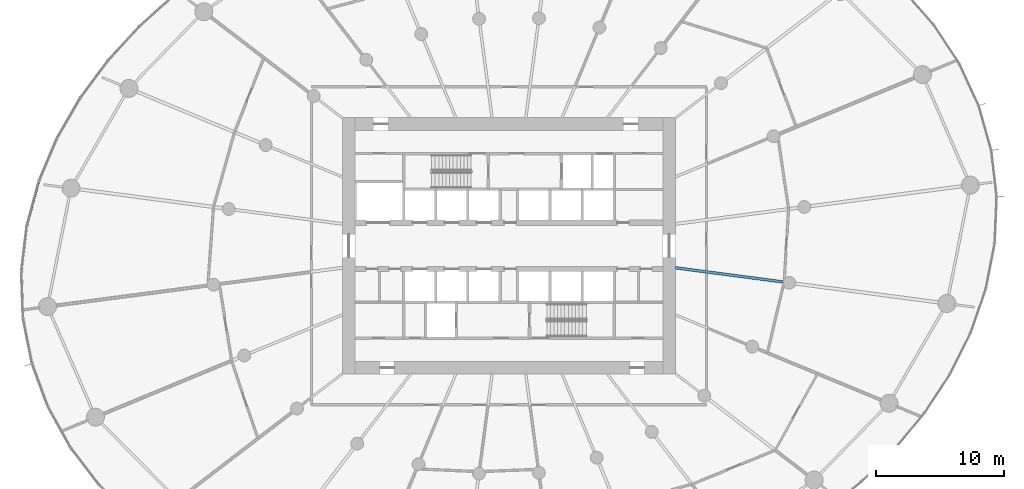
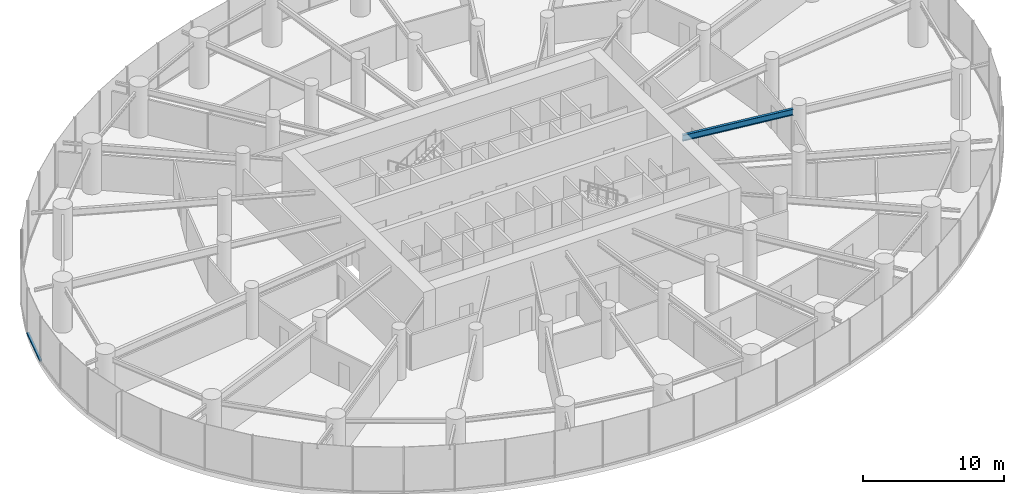
# One storey, part 5 of 19: 1 beam, 1 member, 1 element without a shape of its own.
"""IFC4 building model written with IfcOpenShell, lengths in metres."""

import ifcopenshell
import ifcopenshell.guid

model = None  # the IFC model being written
_history = None  # IfcOwnerHistory: only IFC2X3 demands one
_inside = {}  # id of a spatial element -> (the spatial element, [elements in it])
_under = {}  # id of a project, library or spatial element -> (it, [spatial elements below it])
_declared = {}  # id of a project -> (the project, [libraries it declares])
_typed = {}  # id of a type object -> (the type object, [elements of that type])
_made_of = {}  # id of a material, layer set ... -> (it, [elements and type objects made of it])


def new_model(schema):
    """Start an empty IFC model of exactly this schema.

    Asked for "IFC4X3", IfcOpenShell would pick the latest addendum, in which some entities
    have other attributes; the version numbers below select the first issue.
    IFC2X3 requires an IfcOwnerHistory on every rooted entity: one is made here for all.
    """
    global model, _history
    if schema == "IFC4X3":
        model = ifcopenshell.file(schema_version=(4, 3, 0, 0))
    else:
        model = ifcopenshell.file(schema=schema)
    _inside.clear()
    _under.clear()
    _declared.clear()
    _typed.clear()
    _made_of.clear()
    _history = None
    if model.schema == "IFC2X3":
        org = make("IfcOrganization", Name="unknown")
        user = make(
            "IfcPersonAndOrganization",
            ThePerson=make("IfcPerson", FamilyName="unknown"),
            TheOrganization=org,
        )
        app = make(
            "IfcApplication",
            ApplicationDeveloper=org,
            Version="unknown",
            ApplicationFullName="unknown",
            ApplicationIdentifier="unknown",
        )
        _history = make(
            "IfcOwnerHistory",
            OwningUser=user,
            OwningApplication=app,
            ChangeAction="ADDED",
            CreationDate=0,
        )
    return model


def make(cls, **values):
    """One entity of the class cls with the attributes given. An attribute that is None is left unset."""
    return model.create_entity(
        cls, **{name: value for name, value in values.items() if value is not None}
    )


def rooted(cls, **values):
    """An entity with a GlobalId (a new one), such as an element, a storey or a relation."""
    return make(cls, GlobalId=ifcopenshell.guid.new(), OwnerHistory=_history, **values)


def si_unit(unit_type, name, prefix=None):
    """IfcSIUnit, for example si_unit("LENGTHUNIT", "METRE", prefix="MILLI")."""
    return make("IfcSIUnit", UnitType=unit_type, Prefix=prefix, Name=name)


def assignment(units):
    """IfcUnitAssignment: the units of a project."""
    return None if units is None else make("IfcUnitAssignment", Units=units)


def point(xyz):
    """IfcCartesianPoint."""
    return None if xyz is None else make("IfcCartesianPoint", Coordinates=xyz)


def direction(xyz):
    """IfcDirection."""
    return None if xyz is None else make("IfcDirection", DirectionRatios=xyz)


def frame(location, z_axis=None, x_axis=None):
    """IfcAxis2Placement3D, a coordinate frame: its origin and axes. An axis left out is left unset."""
    return make(
        "IfcAxis2Placement3D",
        Location=point(location),
        Axis=direction(z_axis),
        RefDirection=direction(x_axis),
    )


def frame_2d(location, x_axis=None):
    """IfcAxis2Placement2D, a coordinate frame in the plane: its origin and x axis."""
    return make(
        "IfcAxis2Placement2D", Location=point(location), RefDirection=direction(x_axis)
    )


def origin():
    """The frame at (0, 0, 0) with its axes left unset."""
    return frame((0.0, 0.0, 0.0))


def origin_2d():
    """The frame at (0, 0) in the plane with its x axis left unset."""
    return frame_2d((0.0, 0.0))


def place(relative_to, where):
    """IfcLocalPlacement: puts the frame where relative to a parent placement (None: the world)."""
    return make(
        "IfcLocalPlacement", PlacementRelTo=relative_to, RelativePlacement=where
    )


def context(
    kind, dimensions, precision=None, world=None, true_north=None, identifier=None
):
    """IfcGeometricRepresentationContext, for example the 3D "Model" context."""
    return make(
        "IfcGeometricRepresentationContext",
        ContextIdentifier=identifier,
        ContextType=kind,
        CoordinateSpaceDimension=dimensions,
        Precision=precision,
        WorldCoordinateSystem=world,
        TrueNorth=true_north,
    )


def subcontext(parent, identifier, kind, view, scale=None):
    """IfcGeometricRepresentationSubContext, for example "Body" below "Model"."""
    return make(
        "IfcGeometricRepresentationSubContext",
        ContextIdentifier=identifier,
        ContextType=kind,
        ParentContext=parent,
        TargetScale=scale,
        TargetView=view,
    )


def project(units=None, contexts=None):
    """IfcProject with its units and contexts."""
    return rooted(
        "IfcProject",
        Name="project",
        RepresentationContexts=contexts,
        UnitsInContext=assignment(units),
    )


def spatial(cls, under=None, at=None, **own):
    """A site, building, storey or space (cls), placed at a placement, below another one or the project."""
    s = rooted(cls, ObjectPlacement=at, **own)
    if under is not None:
        _under.setdefault(under.id(), (under, []))[1].append(s)
    return s


def profile(cls, at=None, kind="AREA", **sizes):
    """A parametric profile (cls). Its sizes go by their IFC names, for example OverallWidth=200.0."""
    return make(cls, ProfileType=kind, Position=at, **sizes)


def rectangle(**sizes):
    """IfcRectangleProfileDef."""
    return profile("IfcRectangleProfileDef", **sizes)


def i_section(**sizes):
    """IfcIShapeProfileDef."""
    return profile("IfcIShapeProfileDef", **sizes)


def extrude(swept, where, along, depth):
    """IfcExtrudedAreaSolid: the profile swept, set in the frame where, extruded along a direction by depth."""
    return make(
        "IfcExtrudedAreaSolid",
        SweptArea=swept,
        Position=where,
        ExtrudedDirection=direction(along),
        Depth=depth,
    )


def shape(context_of_items, identifier, shape_type, items):
    """IfcShapeRepresentation: the items that make up one representation, for example the "Body"."""
    return make(
        "IfcShapeRepresentation",
        ContextOfItems=context_of_items,
        RepresentationIdentifier=identifier,
        RepresentationType=shape_type,
        Items=items,
    )


def source(mapping_origin, context_of_items, identifier, shape_type, items):
    """IfcRepresentationMap: a shape defined once, which mapped items show again and again."""
    return make(
        "IfcRepresentationMap",
        MappingOrigin=mapping_origin,
        MappedRepresentation=shape(context_of_items, identifier, shape_type, items),
    )


def transform(
    local_origin,
    x_axis=None,
    y_axis=None,
    z_axis=None,
    scale=None,
    scale2=None,
    scale3=None,
    uniform=True,
):
    """IfcCartesianTransformationOperator3D, or its non-uniform kind. x_axis, y_axis, z_axis: its Axis1, 2, 3."""
    if uniform:
        return make(
            "IfcCartesianTransformationOperator3D",
            Axis1=direction(x_axis),
            Axis2=direction(y_axis),
            LocalOrigin=point(local_origin),
            Scale=scale,
            Axis3=direction(z_axis),
        )
    return make(
        "IfcCartesianTransformationOperator3DnonUniform",
        Axis1=direction(x_axis),
        Axis2=direction(y_axis),
        LocalOrigin=point(local_origin),
        Scale=scale,
        Axis3=direction(z_axis),
        Scale2=scale2,
        Scale3=scale3,
    )


def mapped(mapping_source, mapping_target):
    """IfcMappedItem: shows the shape of a source again, moved by a transform."""
    return make(
        "IfcMappedItem", MappingSource=mapping_source, MappingTarget=mapping_target
    )


def material(Name=None, Category=None):
    """IfcMaterial."""
    return make("IfcMaterial", Name=Name, Category=Category)


def layer(
    of_material, thickness, ventilated=None, Name=None, Category=None, Priority=None
):
    """IfcMaterialLayer: one layer of a wall or slab, of a material (None: an air gap)."""
    return make(
        "IfcMaterialLayer",
        Material=of_material,
        LayerThickness=thickness,
        IsVentilated=ventilated,
        Name=Name,
        Category=Category,
        Priority=Priority,
    )


def layer_set(layers, Name=None):
    """IfcMaterialLayerSet."""
    return make("IfcMaterialLayerSet", MaterialLayers=layers, LayerSetName=Name)


def material_profile(
    of_material, cross_section, Name=None, Category=None, Priority=None
):
    """IfcMaterialProfile: a cross section and its material."""
    return make(
        "IfcMaterialProfile",
        Name=Name,
        Material=of_material,
        Profile=cross_section,
        Priority=Priority,
        Category=Category,
    )


def profile_set(profiles, Name=None, composite=None):
    """IfcMaterialProfileSet."""
    return make(
        "IfcMaterialProfileSet",
        Name=Name,
        MaterialProfiles=profiles,
        CompositeProfile=composite,
    )


def made_of(thing, what):
    """Note that an element or type object is made of a material, layer set ...; save() writes the relation."""
    if what is not None:
        _made_of.setdefault(what.id(), (what, []))[1].append(thing)
    return thing


def type_object(cls, material=None, **own):
    """A type object (cls), such as IfcWallType, which elements share."""
    return made_of(rooted(cls, **own), material)


def element(
    cls,
    number,
    at=None,
    inside=None,
    cuts=None,
    type_object=None,
    material=None,
    context=None,
    identifier="Body",
    shape_type=None,
    held_by="IfcProductDefinitionShape",
    body=None,
    shapes=None,
    **own,
):
    """One element of the class cls, such as IfcWall. Its Tag is "e" and its number.

    at: its placement. inside: the storey or other place that contains it. cuts: it is an
    opening in that element (IfcRelVoidsElement). A single representation is given by context,
    identifier, shape_type and body (its items); several are given by shapes. held_by: the class
    of the entity that holds the representations. save() writes the other relations.
    """
    e = rooted(cls, Tag="e%d" % number, ObjectPlacement=at, **own)
    if body is not None:
        shapes = [shape(context, identifier, shape_type, body)]
    if shapes is not None:
        e.Representation = make(held_by, Representations=shapes)
    if inside is not None:
        _inside.setdefault(inside.id(), (inside, []))[1].append(e)
    if cuts is not None:
        rooted(
            "IfcRelVoidsElement", RelatingBuildingElement=cuts, RelatedOpeningElement=e
        )
    if type_object is not None:
        _typed.setdefault(type_object.id(), (type_object, []))[1].append(e)
    return made_of(e, material)


def aggregate(whole, parts):
    """IfcRelAggregates: a whole, such as a stair, and the parts it consists of."""
    return rooted("IfcRelAggregates", RelatingObject=whole, RelatedObjects=parts)


def save(model, path):
    """Write the relations noted so far, then the file.

    IfcRelAggregates (storeys below a building ...), IfcRelContainedInSpatialStructure (elements
    in a storey), IfcRelDefinesByType, IfcRelAssociatesMaterial and IfcRelDeclares: one each for
    every whole, place, type object, material and project.
    """
    for whole, parts in _under.values():
        aggregate(whole, parts)
    for where, things in _inside.values():
        rooted(
            "IfcRelContainedInSpatialStructure",
            RelatedElements=things,
            RelatingStructure=where,
        )
    for kind, things in _typed.values():
        rooted("IfcRelDefinesByType", RelatedObjects=things, RelatingType=kind)
    for what, things in _made_of.values():
        rooted("IfcRelAssociatesMaterial", RelatedObjects=things, RelatingMaterial=what)
    for by, libraries in _declared.values():
        rooted("IfcRelDeclares", RelatingContext=by, RelatedDefinitions=libraries)
    model.write(path)


model = new_model("IFC4")

# Units and contexts
model_context = context("Model", 3, precision=1e-05, world=origin(), true_north=direction((0.0, 1.0)))
body_context = subcontext(model_context, "Body", "Model", "MODEL_VIEW")
ifc_project = project(units=[si_unit("LENGTHUNIT", "METRE"), si_unit("AREAUNIT", "SQUARE_METRE"), si_unit("VOLUMEUNIT", "CUBIC_METRE"), si_unit("PLANEANGLEUNIT", "RADIAN"), si_unit("MASSUNIT", "GRAM", prefix="KILO")], contexts=[model_context])

# Site, building, storey
site_placement = place(None, origin())
site = spatial("IfcSite", under=ifc_project, at=site_placement, CompositionType="ELEMENT")
building_placement = place(site_placement, origin())
building = spatial("IfcBuilding", under=site, at=building_placement, Name="Spindrift Exchange Tower", CompositionType="ELEMENT")
storey_placement = place(building_placement, frame((0.0, 0.0, 57.800048828125)))
storey = spatial("IfcBuildingStorey", under=building, at=storey_placement, Name="L13", CompositionType="ELEMENT", Elevation=57.800048828125)

# Beam
ifc_material_1 = material(Name="Steel Grade 300", Category="steel")
ifc_material_profile_1 = material_profile(ifc_material_1, i_section(OverallWidth=0.208984375, OverallDepth=0.532958984375, WebThickness=0.01025390625, FlangeThickness=0.015625, FilletRadius=0.013916015625, at=origin_2d()), Name="530UB92.4")
ifc_profile_set_1 = profile_set([ifc_material_profile_1], Name="Steel Grade 300")
beam_type = type_object("IfcBeamType", Name="Floor Beam 530UB92.4 Steel Grade 300", PredefinedType="BEAM", material=ifc_profile_set_1)
shared_shape_1 = source(origin(), body_context, "Body", "SweptSolid", [
    extrude(i_section(OverallWidth=0.208984375, OverallDepth=0.532958984375, WebThickness=0.01025390625, FlangeThickness=0.015625, FilletRadius=0.013916015625, at=origin_2d()), origin(), (0.0, 0.0, 1.0), 8.4794921875),
])
beam_placement = place(storey_placement, frame((64.980224609375, 46.291015625, 3.683349609375), z_axis=(0.991446551951, -0.13051335037, 0.0), x_axis=(0.13051335037, 0.991446551951, 0.0)))
element("IfcBeam", 1, at=beam_placement, inside=storey, type_object=beam_type, Name="L13 radial beam R24A", PredefinedType="BEAM", context=body_context, shape_type="MappedRepresentation", body=[
    mapped(shared_shape_1, transform((0.0, 0.0, 0.0), scale=1.0)),
])

# Curtain wall, member
ifc_material_2 = material(Name="Fritted laminated glass with bronze frame", Category="glass")
ifc_layer = layer(ifc_material_2, 0.199951171875)
ifc_layer_set = layer_set([ifc_layer], Name="ZONE 1 BRONZE FRITTED WALL")
curtain_wall_type = type_object("IfcCurtainWallType", Name="ZONE 1 BRONZE FRITTED WALL", PredefinedType="NOTDEFINED", material=ifc_layer_set)
curtain_wall_placement = place(storey_placement, origin())
curtain_wall = element("IfcCurtainWall", 2, at=curtain_wall_placement, inside=storey, type_object=curtain_wall_type, Name="L13 Zone 1 Bronze Fritted Wall run 5", PredefinedType="NOTDEFINED")
ifc_material_3 = material(Name="Bronze anodised aluminium", Category="aluminium")
ifc_material_profile_2 = material_profile(ifc_material_3, rectangle(XDim=0.179931640625, YDim=0.14990234375, at=origin_2d()), Name="ZONE 1 BRONZE FRITTED WALL TRANSOM 180X150")
ifc_profile_set_2 = profile_set([ifc_material_profile_2], Name="Bronze anodised aluminium")
member_type = type_object("IfcMemberType", Name="ZONE 1 BRONZE FRITTED WALL TRANSOM 180X150", PredefinedType="USERDEFINED", material=ifc_profile_set_2)
shared_shape_2 = source(origin(), body_context, "Body", "SweptSolid", [
    extrude(rectangle(XDim=0.179931640625, YDim=0.14990234375, at=origin_2d()), origin(), (0.0, 0.0, 1.0), 3.545166015625),
])
member_placement = place(storey_placement, frame((15.328125, 53.041748046875, 0.074951171875), z_axis=(-0.260931573969, -0.965357298468, 0.0), x_axis=(0.965357298468, -0.260931573969, 0.0)))
member = element("IfcMember", 3, at=member_placement, type_object=member_type, Name="L13 transom CW-1.27", ObjectType="TRANSOM", PredefinedType="USERDEFINED", context=body_context, shape_type="MappedRepresentation", body=[
    mapped(shared_shape_2, transform((0.0, 0.0, 0.0), scale=1.0)),
])
aggregate(curtain_wall, [member])

save(model, "model.ifc")
